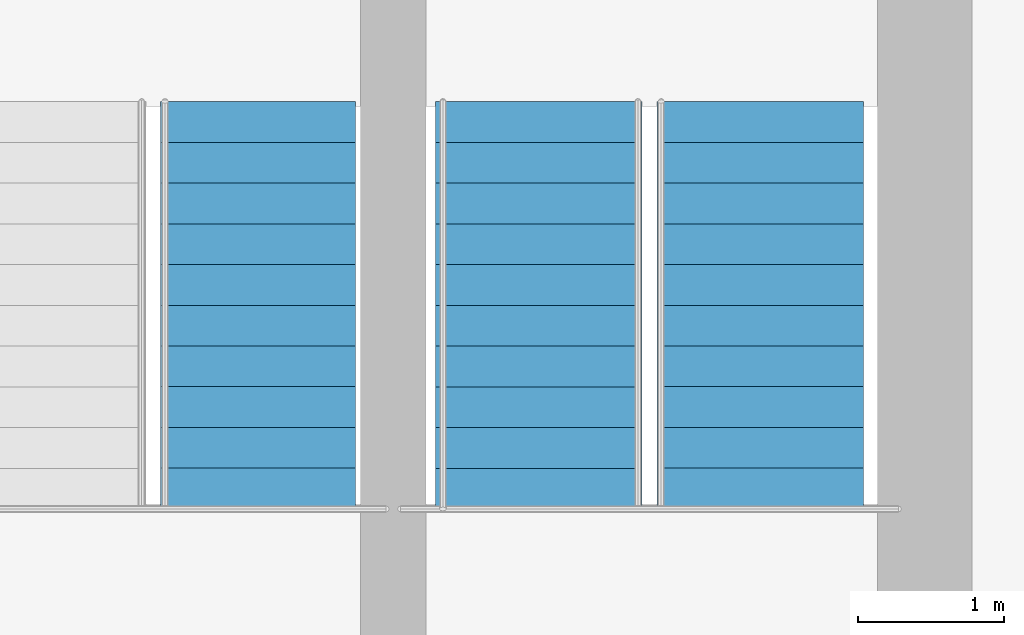
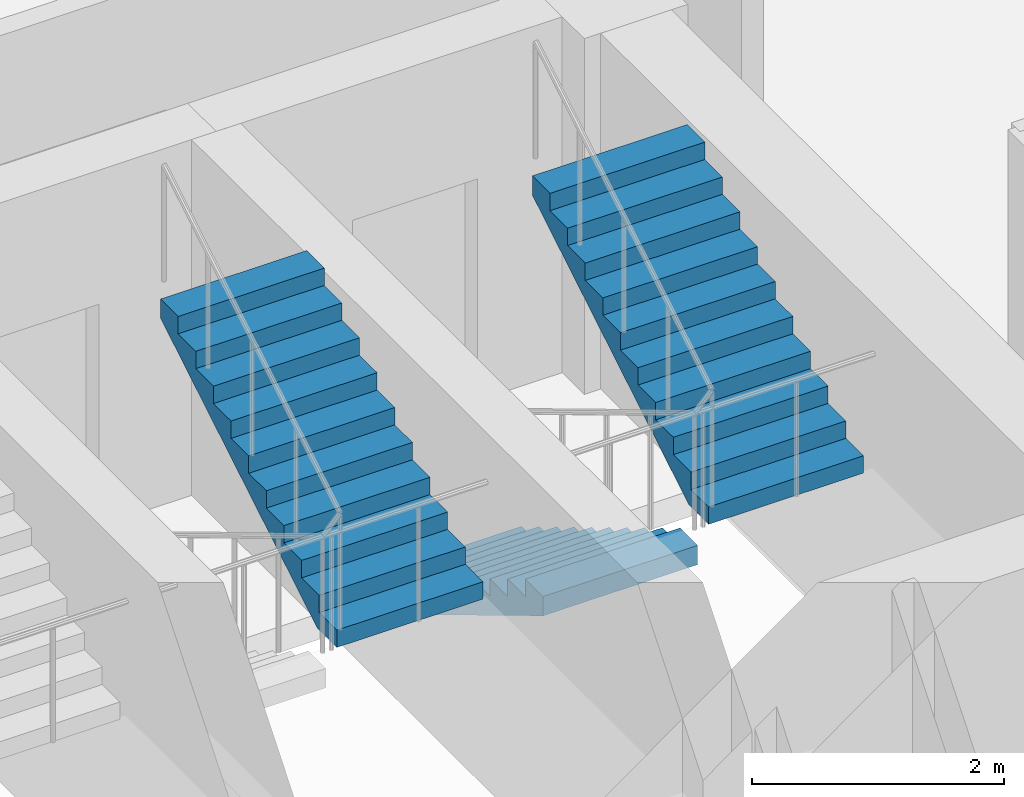
# One storey, part 25 of 26: 3 stair flights, 2 elements without a shape of their own.
"""IFC4 building model written with IfcOpenShell, lengths in metres."""

import ifcopenshell
import ifcopenshell.guid

model = None  # the IFC model being written
_history = None  # IfcOwnerHistory: only IFC2X3 demands one
_inside = {}  # id of a spatial element -> (the spatial element, [elements in it])
_under = {}  # id of a project, library or spatial element -> (it, [spatial elements below it])
_declared = {}  # id of a project -> (the project, [libraries it declares])
_typed = {}  # id of a type object -> (the type object, [elements of that type])
_made_of = {}  # id of a material, layer set ... -> (it, [elements and type objects made of it])


def new_model(schema):
    """Start an empty IFC model of exactly this schema.

    Asked for "IFC4X3", IfcOpenShell would pick the latest addendum, in which some entities
    have other attributes; the version numbers below select the first issue.
    IFC2X3 requires an IfcOwnerHistory on every rooted entity: one is made here for all.
    """
    global model, _history
    if schema == "IFC4X3":
        model = ifcopenshell.file(schema_version=(4, 3, 0, 0))
    else:
        model = ifcopenshell.file(schema=schema)
    _inside.clear()
    _under.clear()
    _declared.clear()
    _typed.clear()
    _made_of.clear()
    _history = None
    if model.schema == "IFC2X3":
        org = make("IfcOrganization", Name="unknown")
        user = make(
            "IfcPersonAndOrganization",
            ThePerson=make("IfcPerson", FamilyName="unknown"),
            TheOrganization=org,
        )
        app = make(
            "IfcApplication",
            ApplicationDeveloper=org,
            Version="unknown",
            ApplicationFullName="unknown",
            ApplicationIdentifier="unknown",
        )
        _history = make(
            "IfcOwnerHistory",
            OwningUser=user,
            OwningApplication=app,
            ChangeAction="ADDED",
            CreationDate=0,
        )
    return model


def make(cls, **values):
    """One entity of the class cls with the attributes given. An attribute that is None is left unset."""
    return model.create_entity(
        cls, **{name: value for name, value in values.items() if value is not None}
    )


def rooted(cls, **values):
    """An entity with a GlobalId (a new one), such as an element, a storey or a relation."""
    return make(cls, GlobalId=ifcopenshell.guid.new(), OwnerHistory=_history, **values)


def si_unit(unit_type, name, prefix=None):
    """IfcSIUnit, for example si_unit("LENGTHUNIT", "METRE", prefix="MILLI")."""
    return make("IfcSIUnit", UnitType=unit_type, Prefix=prefix, Name=name)


def assignment(units):
    """IfcUnitAssignment: the units of a project."""
    return None if units is None else make("IfcUnitAssignment", Units=units)


def point(xyz):
    """IfcCartesianPoint."""
    return None if xyz is None else make("IfcCartesianPoint", Coordinates=xyz)


def direction(xyz):
    """IfcDirection."""
    return None if xyz is None else make("IfcDirection", DirectionRatios=xyz)


def frame(location, z_axis=None, x_axis=None):
    """IfcAxis2Placement3D, a coordinate frame: its origin and axes. An axis left out is left unset."""
    return make(
        "IfcAxis2Placement3D",
        Location=point(location),
        Axis=direction(z_axis),
        RefDirection=direction(x_axis),
    )


def origin():
    """The frame at (0, 0, 0) with its axes left unset."""
    return frame((0.0, 0.0, 0.0))


def place(relative_to, where):
    """IfcLocalPlacement: puts the frame where relative to a parent placement (None: the world)."""
    return make(
        "IfcLocalPlacement", PlacementRelTo=relative_to, RelativePlacement=where
    )


def context(
    kind, dimensions, precision=None, world=None, true_north=None, identifier=None
):
    """IfcGeometricRepresentationContext, for example the 3D "Model" context."""
    return make(
        "IfcGeometricRepresentationContext",
        ContextIdentifier=identifier,
        ContextType=kind,
        CoordinateSpaceDimension=dimensions,
        Precision=precision,
        WorldCoordinateSystem=world,
        TrueNorth=true_north,
    )


def subcontext(parent, identifier, kind, view, scale=None):
    """IfcGeometricRepresentationSubContext, for example "Body" below "Model"."""
    return make(
        "IfcGeometricRepresentationSubContext",
        ContextIdentifier=identifier,
        ContextType=kind,
        ParentContext=parent,
        TargetScale=scale,
        TargetView=view,
    )


def project(units=None, contexts=None):
    """IfcProject with its units and contexts."""
    return rooted(
        "IfcProject",
        Name="project",
        RepresentationContexts=contexts,
        UnitsInContext=assignment(units),
    )


def spatial(cls, under=None, at=None, **own):
    """A site, building, storey or space (cls), placed at a placement, below another one or the project."""
    s = rooted(cls, ObjectPlacement=at, **own)
    if under is not None:
        _under.setdefault(under.id(), (under, []))[1].append(s)
    return s


def polyline(points):
    """IfcPolyline through the points."""
    return make("IfcPolyline", Points=[point(p) for p in points])


def outline(outer, holes=None, kind="AREA"):
    """IfcArbitraryClosedProfileDef: a profile drawn as a closed curve; with holes, ...WithVoids."""
    if holes is None:
        return make("IfcArbitraryClosedProfileDef", ProfileType=kind, OuterCurve=outer)
    return make(
        "IfcArbitraryProfileDefWithVoids",
        ProfileType=kind,
        OuterCurve=outer,
        InnerCurves=holes,
    )


def extrude(swept, where, along, depth):
    """IfcExtrudedAreaSolid: the profile swept, set in the frame where, extruded along a direction by depth."""
    return make(
        "IfcExtrudedAreaSolid",
        SweptArea=swept,
        Position=where,
        ExtrudedDirection=direction(along),
        Depth=depth,
    )


def shape(context_of_items, identifier, shape_type, items):
    """IfcShapeRepresentation: the items that make up one representation, for example the "Body"."""
    return make(
        "IfcShapeRepresentation",
        ContextOfItems=context_of_items,
        RepresentationIdentifier=identifier,
        RepresentationType=shape_type,
        Items=items,
    )


def material(Name=None, Category=None):
    """IfcMaterial."""
    return make("IfcMaterial", Name=Name, Category=Category)


def made_of(thing, what):
    """Note that an element or type object is made of a material, layer set ...; save() writes the relation."""
    if what is not None:
        _made_of.setdefault(what.id(), (what, []))[1].append(thing)
    return thing


def type_object(cls, material=None, **own):
    """A type object (cls), such as IfcWallType, which elements share."""
    return made_of(rooted(cls, **own), material)


def element(
    cls,
    number,
    at=None,
    inside=None,
    cuts=None,
    type_object=None,
    material=None,
    context=None,
    identifier="Body",
    shape_type=None,
    held_by="IfcProductDefinitionShape",
    body=None,
    shapes=None,
    **own,
):
    """One element of the class cls, such as IfcWall. Its Tag is "e" and its number.

    at: its placement. inside: the storey or other place that contains it. cuts: it is an
    opening in that element (IfcRelVoidsElement). A single representation is given by context,
    identifier, shape_type and body (its items); several are given by shapes. held_by: the class
    of the entity that holds the representations. save() writes the other relations.
    """
    e = rooted(cls, Tag="e%d" % number, ObjectPlacement=at, **own)
    if body is not None:
        shapes = [shape(context, identifier, shape_type, body)]
    if shapes is not None:
        e.Representation = make(held_by, Representations=shapes)
    if inside is not None:
        _inside.setdefault(inside.id(), (inside, []))[1].append(e)
    if cuts is not None:
        rooted(
            "IfcRelVoidsElement", RelatingBuildingElement=cuts, RelatedOpeningElement=e
        )
    if type_object is not None:
        _typed.setdefault(type_object.id(), (type_object, []))[1].append(e)
    return made_of(e, material)


def aggregate(whole, parts):
    """IfcRelAggregates: a whole, such as a stair, and the parts it consists of."""
    return rooted("IfcRelAggregates", RelatingObject=whole, RelatedObjects=parts)


def save(model, path):
    """Write the relations noted so far, then the file.

    IfcRelAggregates (storeys below a building ...), IfcRelContainedInSpatialStructure (elements
    in a storey), IfcRelDefinesByType, IfcRelAssociatesMaterial and IfcRelDeclares: one each for
    every whole, place, type object, material and project.
    """
    for whole, parts in _under.values():
        aggregate(whole, parts)
    for where, things in _inside.values():
        rooted(
            "IfcRelContainedInSpatialStructure",
            RelatedElements=things,
            RelatingStructure=where,
        )
    for kind, things in _typed.values():
        rooted("IfcRelDefinesByType", RelatedObjects=things, RelatingType=kind)
    for what, things in _made_of.values():
        rooted("IfcRelAssociatesMaterial", RelatedObjects=things, RelatingMaterial=what)
    for by, libraries in _declared.values():
        rooted("IfcRelDeclares", RelatingContext=by, RelatedDefinitions=libraries)
    model.write(path)


model = new_model("IFC4")

# Units and contexts
model_context = context("Model", 3, precision=1e-05, world=origin(), true_north=direction((0.0, 1.0)))
body_context = subcontext(model_context, "Body", "Model", "MODEL_VIEW")
ifc_project = project(units=[si_unit("LENGTHUNIT", "METRE"), si_unit("AREAUNIT", "SQUARE_METRE"), si_unit("VOLUMEUNIT", "CUBIC_METRE"), si_unit("PLANEANGLEUNIT", "RADIAN"), si_unit("MASSUNIT", "GRAM", prefix="KILO")], contexts=[model_context])

# Site, building, storey
site_placement = place(None, origin())
site = spatial("IfcSite", under=ifc_project, at=site_placement, CompositionType="ELEMENT")
building_placement = place(site_placement, origin())
building = spatial("IfcBuilding", under=site, at=building_placement, Name="Nuhasar Tower", CompositionType="ELEMENT")
storey_placement = place(building_placement, frame((0.0, 0.0, 188.550048828125)))
storey = spatial("IfcBuildingStorey", under=building, at=storey_placement, Name="L46", CompositionType="ELEMENT", Elevation=188.550048828125)

# Stair, stair flights
ifc_material = material(Name="Concrete C45/55", Category="concrete")
stair_type_1 = type_object("IfcStairType", Name="STR-ST-02-2F-22R-1682", PredefinedType="HALF_TURN_STAIR", material=ifc_material)
stair_1_placement = place(storey_placement, origin())
stair_1 = element("IfcStair", 1, at=stair_1_placement, inside=storey, type_object=stair_type_1, Name="L46 Exit Stair ST-02", PredefinedType="HALF_TURN_STAIR")
stair_flight_type_1 = type_object("IfcStairFlightType", Name="SFL-ST-02-11R-1682", PredefinedType="STRAIGHT", material=ifc_material)
stair_flight_1_placement = place(storey_placement, frame((41.64990234375, 35.284912109375, 0.0), z_axis=(0.0, 0.0, 1.0), x_axis=(0.0, -1.0, 0.0)))
stair_flight_1 = element("IfcStairFlight", 2, at=stair_flight_1_placement, type_object=stair_flight_type_1, Name="ST-02 flight 1", NumberOfRisers=11, NumberOfTreads=10, PredefinedType="STRAIGHT", RiserHeight=0.168182, TreadLength=0.28, context=body_context, shape_type="SweptSolid", body=[
    extrude(outline(polyline([(0.0, 0.0), (0.0, 0.168212890625), (0.280029296875, 0.168212890625), (0.280029296875, 0.33642578125), (0.56005859375, 0.33642578125), (0.56005859375, 0.504638671875), (0.840087890625, 0.504638671875), (0.840087890625, 0.672607421875), (1.1201171875, 0.672607421875), (1.1201171875, 0.8408203125), (1.39990234375, 0.8408203125), (1.39990234375, 1.009033203125), (1.679931640625, 1.009033203125), (1.679931640625, 1.17724609375), (1.9599609375, 1.17724609375), (1.9599609375, 1.345458984375), (2.239990234375, 1.345458984375), (2.239990234375, 1.513671875), (2.52001953125, 1.513671875), (2.52001953125, 1.681884765625), (2.800048828125, 1.681884765625), (2.800048828125, 1.85009765625), (2.800048828125, 1.495361328125), (0.310546875, 0.0), (0.0, 0.0)])), frame((0.0, 0.7099609375, 0.0), z_axis=(0.0, -1.0, 0.0), x_axis=(1.0, 0.0, 0.0)), (0.0, 0.0, 1.0), 1.419921875),
])
stair_flight_2_placement = place(storey_placement, frame((43.169921875, 32.485107421875, 1.849853515625), z_axis=(0.0, 0.0, 1.0), x_axis=(0.0, 1.0, 0.0)))
stair_flight_2 = element("IfcStairFlight", 3, at=stair_flight_2_placement, type_object=stair_flight_type_1, Name="ST-02 flight 2", NumberOfRisers=11, NumberOfTreads=10, PredefinedType="STRAIGHT", RiserHeight=0.168182, TreadLength=0.28, context=body_context, shape_type="SweptSolid", body=[
    extrude(outline(polyline([(0.0, 0.0), (0.0, 0.168212890625), (0.280029296875, 0.168212890625), (0.280029296875, 0.33642578125), (0.56005859375, 0.33642578125), (0.56005859375, 0.504638671875), (0.840087890625, 0.504638671875), (0.840087890625, 0.672607421875), (1.1201171875, 0.672607421875), (1.1201171875, 0.8408203125), (1.39990234375, 0.8408203125), (1.39990234375, 1.009033203125), (1.679931640625, 1.009033203125), (1.679931640625, 1.17724609375), (1.9599609375, 1.17724609375), (1.9599609375, 1.345458984375), (2.239990234375, 1.345458984375), (2.239990234375, 1.513671875), (2.52001953125, 1.513671875), (2.52001953125, 1.681884765625), (2.800048828125, 1.681884765625), (2.800048828125, 1.85009765625), (2.800048828125, 1.495361328125), (0.310546875, 0.0), (0.0, 0.0)])), frame((0.0, 0.7099609375, 0.0), z_axis=(0.0, -1.0, 0.0), x_axis=(1.0, 0.0, 0.0)), (0.0, 0.0, 1.0), 1.419921875),
])
aggregate(stair_1, [stair_flight_1, stair_flight_2])

# Stair, stair flight
stair_type_2 = type_object("IfcStairType", Name="STR-ST-03-2F-22R-1682", PredefinedType="HALF_TURN_STAIR", material=ifc_material)
stair_2_placement = place(storey_placement, origin())
stair_2 = element("IfcStair", 4, at=stair_2_placement, inside=storey, type_object=stair_type_2, Name="L46 Exit Stair ST-03", PredefinedType="HALF_TURN_STAIR")
stair_flight_type_2 = type_object("IfcStairFlightType", Name="SFL-ST-03-11R-1682", PredefinedType="STRAIGHT", material=ifc_material)
stair_flight_3_placement = place(storey_placement, frame((39.719970703125, 32.485107421875, 1.849853515625), z_axis=(0.0, 0.0, 1.0), x_axis=(0.0, 1.0, 0.0)))
stair_flight_3 = element("IfcStairFlight", 5, at=stair_flight_3_placement, type_object=stair_flight_type_2, Name="ST-03 flight 2", NumberOfRisers=11, NumberOfTreads=10, PredefinedType="STRAIGHT", RiserHeight=0.168182, TreadLength=0.28, context=body_context, shape_type="SweptSolid", body=[
    extrude(outline(polyline([(0.0, 0.0), (0.0, 0.168212890625), (0.280029296875, 0.168212890625), (0.280029296875, 0.33642578125), (0.56005859375, 0.33642578125), (0.56005859375, 0.504638671875), (0.840087890625, 0.504638671875), (0.840087890625, 0.672607421875), (1.1201171875, 0.672607421875), (1.1201171875, 0.8408203125), (1.39990234375, 0.8408203125), (1.39990234375, 1.009033203125), (1.679931640625, 1.009033203125), (1.679931640625, 1.17724609375), (1.9599609375, 1.17724609375), (1.9599609375, 1.345458984375), (2.239990234375, 1.345458984375), (2.239990234375, 1.513671875), (2.52001953125, 1.513671875), (2.52001953125, 1.681884765625), (2.800048828125, 1.681884765625), (2.800048828125, 1.85009765625), (2.800048828125, 1.495361328125), (0.310546875, 0.0), (0.0, 0.0)])), frame((0.0, 0.669921875, 0.0), z_axis=(0.0, -1.0, 0.0), x_axis=(1.0, 0.0, 0.0)), (0.0, 0.0, 1.0), 1.340087890625),
])
aggregate(stair_2, [stair_flight_3])

save(model, "model.ifc")
